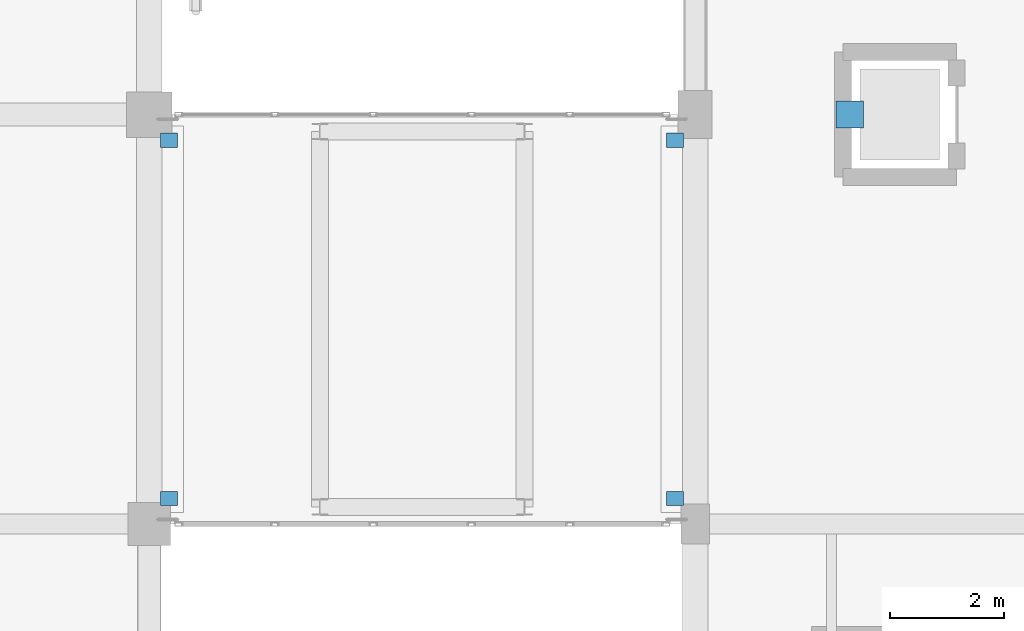
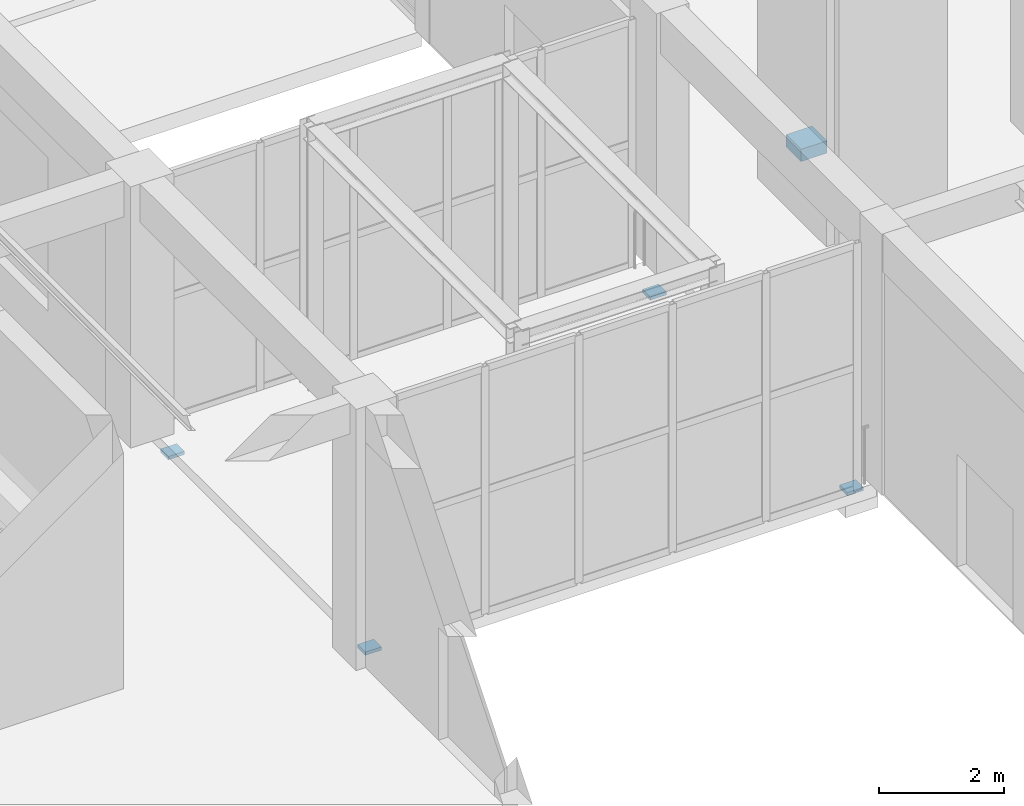
# One storey, part 139 of 169: 5 discrete accessories.
"""IFC4 building model written with IfcOpenShell, lengths in metres."""

from ifc_helpers import new_model, si_unit, direction, frame, origin, origin_2d, place, context, subcontext, project, spatial, rectangle, extrude, material, type_object, element, save


model = new_model("IFC4")

# Units and contexts
model_context = context("Model", 3, precision=1e-05, world=origin(), true_north=direction((0.0, 1.0)))
body_context = subcontext(model_context, "Body", "Model", "MODEL_VIEW")
ifc_project = project(units=[si_unit("LENGTHUNIT", "METRE"), si_unit("AREAUNIT", "SQUARE_METRE"), si_unit("VOLUMEUNIT", "CUBIC_METRE"), si_unit("PLANEANGLEUNIT", "RADIAN"), si_unit("MASSUNIT", "GRAM", prefix="KILO")], contexts=[model_context])

# Site, building, storey
site_placement = place(None, origin())
site = spatial("IfcSite", under=ifc_project, at=site_placement, CompositionType="ELEMENT")
building_placement = place(site_placement, origin())
building = spatial("IfcBuilding", under=site, at=building_placement, Name="Mazaris Harbour Polytechnic", CompositionType="ELEMENT")
storey_placement = place(building_placement, origin())
storey = spatial("IfcBuildingStorey", under=building, at=storey_placement, Name="L00", CompositionType="ELEMENT", Elevation=0.0)

# Discrete accessories
ifc_material_1 = material(Name="Steel S355", Category="steel")
discrete_accessory_type_1 = type_object("IfcDiscreteAccessoryType", Name="PTFE Sliding Bridge Bearing 300x250x65 Exterior", PredefinedType="BRACKET", material=ifc_material_1)
for number, where, z_axis, x_axis, name in (
    (1, (113.14990234375, 22.050048828125, -0.330078125), (0.0, 0.0, 1.0), (1.0, 0.0, 0.0), "PB-E1 L00 PTFE Sliding Bearing W1"),
    (2, (113.14990234375, 28.35009765625, -0.330078125), (0.0, 0.0, 1.0), (1.0, 0.0, 0.0), "PB-E1 L00 PTFE Sliding Bearing W2"),
    (3, (122.050048828125, 22.050048828125, -0.330078125), (0.0, 0.0, 1.0), (1.0, 0.0, 0.0), "PB-E1 L00 PTFE Sliding Bearing E1"),
    (4, (122.050048828125, 28.35009765625, -0.330078125), (0.0, 0.0, 1.0), (1.0, 0.0, 0.0), "PB-E1 L00 PTFE Sliding Bearing E2"),
):
    element("IfcDiscreteAccessory", number, at=place(storey_placement, frame(where, z_axis=z_axis, x_axis=x_axis)), inside=storey, type_object=discrete_accessory_type_1, Name=name, PredefinedType="BRACKET", context=body_context, shape_type="SweptSolid", body=[
        extrude(rectangle(XDim=0.300048828125, YDim=0.25, at=origin_2d()), origin(), (0.0, 0.0, 1.0), 0.06494140625),
    ])
ifc_material_2 = material(Name="Stainless Steel S355", Category="steel")
discrete_accessory_type_2 = type_object("IfcDiscreteAccessoryType", Name="Stainless Lift Guide Rail Bracket 480x480x240", PredefinedType="BRACKET", material=ifc_material_2)
discrete_accessory_placement = place(storey_placement, frame((125.1201171875, 28.800048828125, 1.1298828125), z_axis=(0.0, 0.0, 1.0), x_axis=(1.0, 0.0, 0.0)))
element("IfcDiscreteAccessory", 5, at=discrete_accessory_placement, inside=storey, type_object=discrete_accessory_type_2, Name="Lift LP-02 Guide Rail Bracket", PredefinedType="BRACKET", context=body_context, shape_type="SweptSolid", body=[
    extrude(rectangle(XDim=0.47998046875, YDim=0.47998046875, at=origin_2d()), origin(), (0.0, 0.0, 1.0), 0.239990234375),
])

save(model, "model.ifc")
